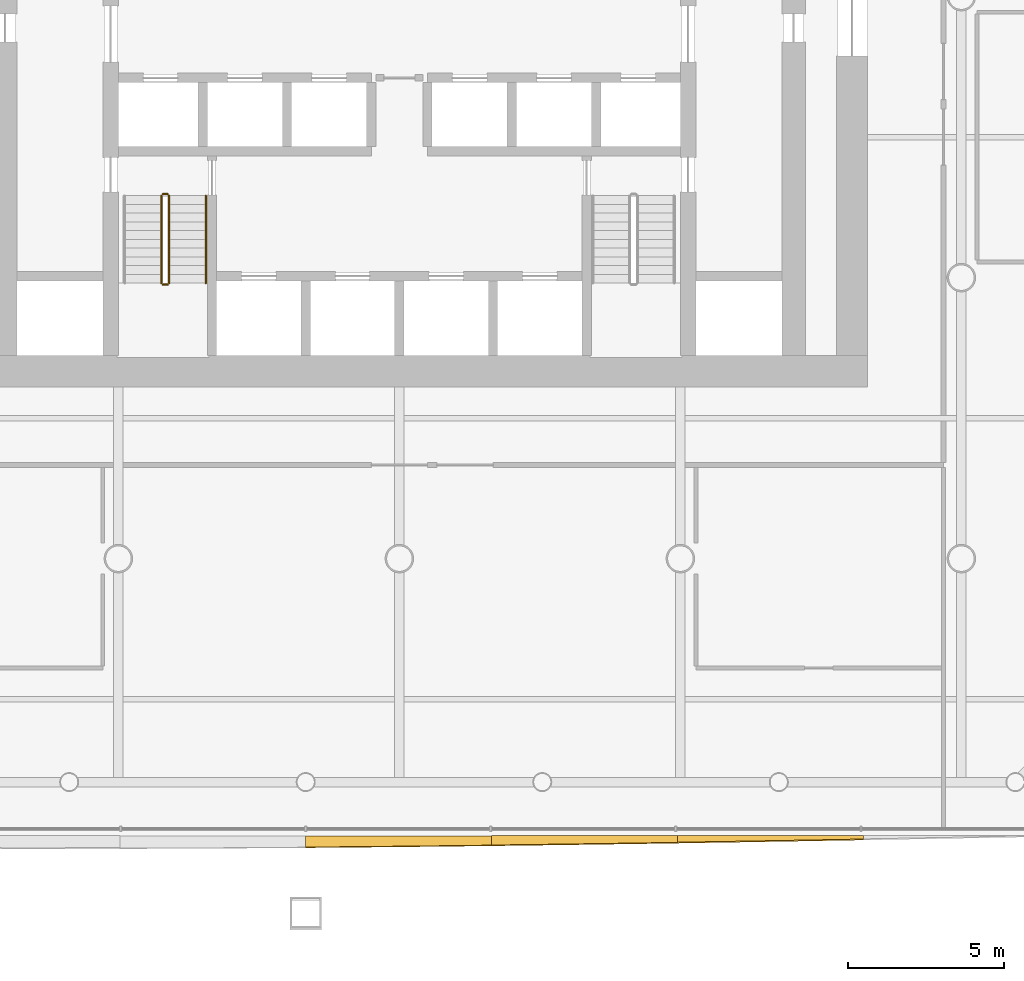
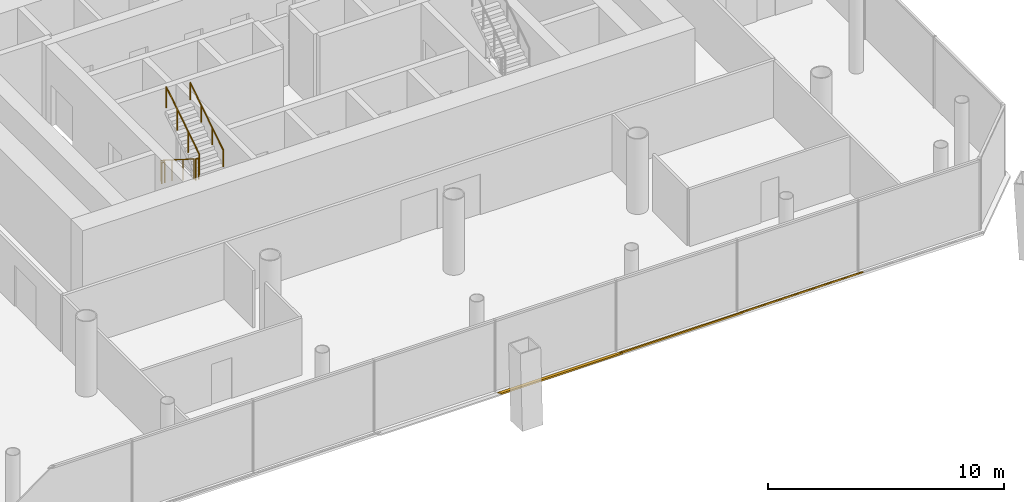
# One storey, part 18 of 21: 5 railings, 3 shading devices.
"""IFC4 building model written with IfcOpenShell, lengths in metres."""

import ifcopenshell
import ifcopenshell.guid

model = None  # the IFC model being written
_history = None  # IfcOwnerHistory: only IFC2X3 demands one
_inside = {}  # id of a spatial element -> (the spatial element, [elements in it])
_under = {}  # id of a project, library or spatial element -> (it, [spatial elements below it])
_declared = {}  # id of a project -> (the project, [libraries it declares])
_typed = {}  # id of a type object -> (the type object, [elements of that type])
_made_of = {}  # id of a material, layer set ... -> (it, [elements and type objects made of it])


def new_model(schema):
    """Start an empty IFC model of exactly this schema.

    Asked for "IFC4X3", IfcOpenShell would pick the latest addendum, in which some entities
    have other attributes; the version numbers below select the first issue.
    IFC2X3 requires an IfcOwnerHistory on every rooted entity: one is made here for all.
    """
    global model, _history
    if schema == "IFC4X3":
        model = ifcopenshell.file(schema_version=(4, 3, 0, 0))
    else:
        model = ifcopenshell.file(schema=schema)
    _inside.clear()
    _under.clear()
    _declared.clear()
    _typed.clear()
    _made_of.clear()
    _history = None
    if model.schema == "IFC2X3":
        org = make("IfcOrganization", Name="unknown")
        user = make(
            "IfcPersonAndOrganization",
            ThePerson=make("IfcPerson", FamilyName="unknown"),
            TheOrganization=org,
        )
        app = make(
            "IfcApplication",
            ApplicationDeveloper=org,
            Version="unknown",
            ApplicationFullName="unknown",
            ApplicationIdentifier="unknown",
        )
        _history = make(
            "IfcOwnerHistory",
            OwningUser=user,
            OwningApplication=app,
            ChangeAction="ADDED",
            CreationDate=0,
        )
    return model


def make(cls, **values):
    """One entity of the class cls with the attributes given. An attribute that is None is left unset."""
    return model.create_entity(
        cls, **{name: value for name, value in values.items() if value is not None}
    )


def rooted(cls, **values):
    """An entity with a GlobalId (a new one), such as an element, a storey or a relation."""
    return make(cls, GlobalId=ifcopenshell.guid.new(), OwnerHistory=_history, **values)


def si_unit(unit_type, name, prefix=None):
    """IfcSIUnit, for example si_unit("LENGTHUNIT", "METRE", prefix="MILLI")."""
    return make("IfcSIUnit", UnitType=unit_type, Prefix=prefix, Name=name)


def assignment(units):
    """IfcUnitAssignment: the units of a project."""
    return None if units is None else make("IfcUnitAssignment", Units=units)


def point(xyz):
    """IfcCartesianPoint."""
    return None if xyz is None else make("IfcCartesianPoint", Coordinates=xyz)


def direction(xyz):
    """IfcDirection."""
    return None if xyz is None else make("IfcDirection", DirectionRatios=xyz)


def frame(location, z_axis=None, x_axis=None):
    """IfcAxis2Placement3D, a coordinate frame: its origin and axes. An axis left out is left unset."""
    return make(
        "IfcAxis2Placement3D",
        Location=point(location),
        Axis=direction(z_axis),
        RefDirection=direction(x_axis),
    )


def frame_2d(location, x_axis=None):
    """IfcAxis2Placement2D, a coordinate frame in the plane: its origin and x axis."""
    return make(
        "IfcAxis2Placement2D", Location=point(location), RefDirection=direction(x_axis)
    )


def origin():
    """The frame at (0, 0, 0) with its axes left unset."""
    return frame((0.0, 0.0, 0.0))


def origin_2d():
    """The frame at (0, 0) in the plane with its x axis left unset."""
    return frame_2d((0.0, 0.0))


def place(relative_to, where):
    """IfcLocalPlacement: puts the frame where relative to a parent placement (None: the world)."""
    return make(
        "IfcLocalPlacement", PlacementRelTo=relative_to, RelativePlacement=where
    )


def context(
    kind, dimensions, precision=None, world=None, true_north=None, identifier=None
):
    """IfcGeometricRepresentationContext, for example the 3D "Model" context."""
    return make(
        "IfcGeometricRepresentationContext",
        ContextIdentifier=identifier,
        ContextType=kind,
        CoordinateSpaceDimension=dimensions,
        Precision=precision,
        WorldCoordinateSystem=world,
        TrueNorth=true_north,
    )


def subcontext(parent, identifier, kind, view, scale=None):
    """IfcGeometricRepresentationSubContext, for example "Body" below "Model"."""
    return make(
        "IfcGeometricRepresentationSubContext",
        ContextIdentifier=identifier,
        ContextType=kind,
        ParentContext=parent,
        TargetScale=scale,
        TargetView=view,
    )


def project(units=None, contexts=None):
    """IfcProject with its units and contexts."""
    return rooted(
        "IfcProject",
        Name="project",
        RepresentationContexts=contexts,
        UnitsInContext=assignment(units),
    )


def spatial(cls, under=None, at=None, **own):
    """A site, building, storey or space (cls), placed at a placement, below another one or the project."""
    s = rooted(cls, ObjectPlacement=at, **own)
    if under is not None:
        _under.setdefault(under.id(), (under, []))[1].append(s)
    return s


def polyline(points):
    """IfcPolyline through the points."""
    return make("IfcPolyline", Points=[point(p) for p in points])


def profile(cls, at=None, kind="AREA", **sizes):
    """A parametric profile (cls). Its sizes go by their IFC names, for example OverallWidth=200.0."""
    return make(cls, ProfileType=kind, Position=at, **sizes)


def circle(**sizes):
    """IfcCircleProfileDef."""
    return profile("IfcCircleProfileDef", **sizes)


def outline(outer, holes=None, kind="AREA"):
    """IfcArbitraryClosedProfileDef: a profile drawn as a closed curve; with holes, ...WithVoids."""
    if holes is None:
        return make("IfcArbitraryClosedProfileDef", ProfileType=kind, OuterCurve=outer)
    return make(
        "IfcArbitraryProfileDefWithVoids",
        ProfileType=kind,
        OuterCurve=outer,
        InnerCurves=holes,
    )


def extrude(swept, where, along, depth):
    """IfcExtrudedAreaSolid: the profile swept, set in the frame where, extruded along a direction by depth."""
    return make(
        "IfcExtrudedAreaSolid",
        SweptArea=swept,
        Position=where,
        ExtrudedDirection=direction(along),
        Depth=depth,
    )


def shape(context_of_items, identifier, shape_type, items):
    """IfcShapeRepresentation: the items that make up one representation, for example the "Body"."""
    return make(
        "IfcShapeRepresentation",
        ContextOfItems=context_of_items,
        RepresentationIdentifier=identifier,
        RepresentationType=shape_type,
        Items=items,
    )


def material(Name=None, Category=None):
    """IfcMaterial."""
    return make("IfcMaterial", Name=Name, Category=Category)


def layer(
    of_material, thickness, ventilated=None, Name=None, Category=None, Priority=None
):
    """IfcMaterialLayer: one layer of a wall or slab, of a material (None: an air gap)."""
    return make(
        "IfcMaterialLayer",
        Material=of_material,
        LayerThickness=thickness,
        IsVentilated=ventilated,
        Name=Name,
        Category=Category,
        Priority=Priority,
    )


def layer_set(layers, Name=None):
    """IfcMaterialLayerSet."""
    return make("IfcMaterialLayerSet", MaterialLayers=layers, LayerSetName=Name)


def made_of(thing, what):
    """Note that an element or type object is made of a material, layer set ...; save() writes the relation."""
    if what is not None:
        _made_of.setdefault(what.id(), (what, []))[1].append(thing)
    return thing


def type_object(cls, material=None, **own):
    """A type object (cls), such as IfcWallType, which elements share."""
    return made_of(rooted(cls, **own), material)


def element(
    cls,
    number,
    at=None,
    inside=None,
    cuts=None,
    type_object=None,
    material=None,
    context=None,
    identifier="Body",
    shape_type=None,
    held_by="IfcProductDefinitionShape",
    body=None,
    shapes=None,
    **own,
):
    """One element of the class cls, such as IfcWall. Its Tag is "e" and its number.

    at: its placement. inside: the storey or other place that contains it. cuts: it is an
    opening in that element (IfcRelVoidsElement). A single representation is given by context,
    identifier, shape_type and body (its items); several are given by shapes. held_by: the class
    of the entity that holds the representations. save() writes the other relations.
    """
    e = rooted(cls, Tag="e%d" % number, ObjectPlacement=at, **own)
    if body is not None:
        shapes = [shape(context, identifier, shape_type, body)]
    if shapes is not None:
        e.Representation = make(held_by, Representations=shapes)
    if inside is not None:
        _inside.setdefault(inside.id(), (inside, []))[1].append(e)
    if cuts is not None:
        rooted(
            "IfcRelVoidsElement", RelatingBuildingElement=cuts, RelatedOpeningElement=e
        )
    if type_object is not None:
        _typed.setdefault(type_object.id(), (type_object, []))[1].append(e)
    return made_of(e, material)


def aggregate(whole, parts):
    """IfcRelAggregates: a whole, such as a stair, and the parts it consists of."""
    return rooted("IfcRelAggregates", RelatingObject=whole, RelatedObjects=parts)


def save(model, path):
    """Write the relations noted so far, then the file.

    IfcRelAggregates (storeys below a building ...), IfcRelContainedInSpatialStructure (elements
    in a storey), IfcRelDefinesByType, IfcRelAssociatesMaterial and IfcRelDeclares: one each for
    every whole, place, type object, material and project.
    """
    for whole, parts in _under.values():
        aggregate(whole, parts)
    for where, things in _inside.values():
        rooted(
            "IfcRelContainedInSpatialStructure",
            RelatedElements=things,
            RelatingStructure=where,
        )
    for kind, things in _typed.values():
        rooted("IfcRelDefinesByType", RelatedObjects=things, RelatingType=kind)
    for what, things in _made_of.values():
        rooted("IfcRelAssociatesMaterial", RelatedObjects=things, RelatingMaterial=what)
    for by, libraries in _declared.values():
        rooted("IfcRelDeclares", RelatingContext=by, RelatedDefinitions=libraries)
    model.write(path)


model = new_model("IFC4")

# Units and contexts
model_context = context("Model", 3, precision=1e-05, world=origin(), true_north=direction((0.0, 1.0)))
body_context = subcontext(model_context, "Body", "Model", "MODEL_VIEW")
ifc_project = project(units=[si_unit("LENGTHUNIT", "METRE"), si_unit("AREAUNIT", "SQUARE_METRE"), si_unit("VOLUMEUNIT", "CUBIC_METRE"), si_unit("PLANEANGLEUNIT", "RADIAN"), si_unit("MASSUNIT", "GRAM", prefix="KILO")], contexts=[model_context])

# Site, building, storey
site_placement = place(None, origin())
site = spatial("IfcSite", under=ifc_project, at=site_placement, CompositionType="ELEMENT")
building_placement = place(site_placement, origin())
building = spatial("IfcBuilding", under=site, at=building_placement, Name="Tskaro Facet Tower", CompositionType="ELEMENT")
storey_placement = place(building_placement, frame((0.0, 0.0, 42.0)))
storey = spatial("IfcBuildingStorey", under=building, at=storey_placement, Name="L09", CompositionType="ELEMENT", Elevation=42.0)

# Shading devices
ifc_material_1 = material(Name="Bronze anodised aluminium 6063-T6", Category="aluminium")
ifc_layer = layer(ifc_material_1, 0.06005859375, Name="Bronze anodised aluminium 6063-T6")
ifc_layer_set = layer_set([ifc_layer], Name="Bronze anodised aluminium 6063-T6")
shading_device_type = type_object("IfcShadingDeviceType", Name="Bronze sun blade (FN1)", PredefinedType="USERDEFINED", material=ifc_layer_set)
shading_device_1_placement = place(storey_placement, frame((-3.0, -26.878662109375, 0.054443359375), z_axis=(9.065145e-06, 0.422456750775, 0.906383083273), x_axis=(0.999999999959, -3.829632e-06, -8.216494e-06)))
element("IfcShadingDevice", 1, at=shading_device_1_placement, inside=storey, type_object=shading_device_type, Name="Fin blade south 5", ObjectType="FIN", PredefinedType="USERDEFINED", context=body_context, shape_type="SweptSolid", body=[
    extrude(outline(polyline([(0.0, 0.0), (5.954345702880346, 0.0), (5.9543457032105245, -0.32832920239369145), (5.20996093810829, -0.33827010543224817), (4.46557617113612, -0.3477684386059075), (3.7214355458599506, -0.35694234799194435), (2.9770507810298024, -0.36579183359035866), (2.232910156025718, -0.37387432553625305), (1.4885253914676553, -0.3816323936945249), (0.7443847656646452, -0.3889478919878994), (-6.273123676121037e-10, -0.3957176815612027), (0.0, 0.0)])), origin(), (0.0, 0.0, -1.0), 0.06005859375),
])
shading_device_2_placement = place(storey_placement, frame((2.954345703125, -26.8740234375, 0.052001953125), z_axis=(4.473919e-06, 0.49989768195, 0.866084469068), x_axis=(0.99999999999, -2.236502e-06, -3.874792e-06)))
element("IfcShadingDevice", 2, at=shading_device_2_placement, inside=storey, type_object=shading_device_type, Name="Fin blade south 6", ObjectType="FIN", PredefinedType="USERDEFINED", context=body_context, shape_type="SweptSolid", body=[
    extrude(outline(polyline([(0.0, 0.0), (5.954101562440412, -2.521660097367905e-21), (5.954101562189621, -0.245558619772765), (5.209960937864232, -0.2590032711224892), (4.4655761723678244, -0.27223647606863033), (3.721191405779377, -0.28504678820760515), (2.9770507811618927, -0.2974015632779795), (2.2326660153733906, -0.30954489194477075), (1.4885253906098592, -0.3213547288754702), (0.7441406250752822, -0.33261962766649467), (-3.8031796402661286e-10, -0.34367308005393604), (0.0, 0.0)])), origin(), (0.0, 0.0, -1.0), 0.06005859375),
])
shading_device_3_placement = place(storey_placement, frame((8.908447265625, -26.86962890625, 0.049072265625), z_axis=(-4.961241e-06, 0.573828129027, 0.818975749527), x_axis=(0.999999999988, 2.846899e-06, 4.063136e-06)))
element("IfcShadingDevice", 3, at=shading_device_3_placement, inside=storey, type_object=shading_device_type, Name="Fin blade south 7", ObjectType="FIN", PredefinedType="USERDEFINED", context=body_context, shape_type="SweptSolid", body=[
    extrude(outline(polyline([(0.0, 0.0), (5.95434570305172, -2.521763494944474e-21), (5.95434570295036, -0.13532527717834777), (5.209960937497264, -0.15144592155781028), (4.46582031197412, -0.1677665111886245), (3.7214355472160663, -0.18368721031673532), (2.9772949220910334, -0.1994678146867811), (2.2329101560440705, -0.2149083790474102), (1.488525390692152, -0.23014899815668755), (0.7443847656682973, -0.24504957725654822), (-2.774869055039352e-10, -0.25961011634699216), (0.0, 0.0)])), origin(), (0.0, 0.0, -1.0), 0.06005859375),
])

# Railings
ifc_material_2 = material(Name="Stainless steel", Category="steel")
railing_type_1 = type_object("IfcRailingType", Name="RL-GUARD-1100", PredefinedType="GUARDRAIL", material=ifc_material_2)
railing_1_placement = place(storey_placement, frame((-7.625, -6.375, 0.17724609375)))
element("IfcRailing", 4, at=railing_1_placement, inside=storey, type_object=railing_type_1, Name="L09 ST-1 stair guard 1", PredefinedType="GUARDRAIL", context=body_context, shape_type="SweptSolid", body=[
    extrude(circle(Radius=0.02392578125, at=origin_2d()), frame((0.0, 0.0, 1.076171875), z_axis=(0.0, -0.844908973607, 0.534910110503), x_axis=(1.0, 0.0, 0.0)), (0.0, 0.0, 1.0), 3.31396484375),
    extrude(circle(Radius=0.02099609375, at=origin_2d()), origin(), (0.0, 0.0, 1.0), 1.052001953125),
    extrude(circle(Radius=0.02099609375, at=origin_2d()), frame((0.0, -0.933349609375, 0.5908203125)), (0.0, 0.0, 1.0), 1.052001953125),
    extrude(circle(Radius=0.02099609375, at=origin_2d()), frame((0.0, -1.86669921875, 1.181884765625)), (0.0, 0.0, 1.0), 1.052001953125),
    extrude(circle(Radius=0.02099609375, at=origin_2d()), frame((0.0, -2.800048828125, 1.772705078125)), (0.0, 0.0, 1.0), 1.052001953125),
])
railing_2_placement = place(storey_placement, frame((-7.574951171875, -9.22509765625, 1.949951171875)))
element("IfcRailing", 5, at=railing_2_placement, inside=storey, type_object=railing_type_1, Name="L09 ST-1 stair guard 2", PredefinedType="GUARDRAIL", context=body_context, shape_type="SweptSolid", body=[
    extrude(circle(Radius=0.02392578125, at=origin_2d()), frame((0.0, 0.0, 1.076171875), z_axis=(1.0, 0.0, 0.0), x_axis=(0.0, 1.0, 0.0)), (0.0, 0.0, 1.0), 0.14990234375),
    extrude(circle(Radius=0.02099609375, at=origin_2d()), origin(), (0.0, 0.0, 1.0), 1.052001953125),
    extrude(circle(Radius=0.02099609375, at=origin_2d()), frame((0.14990234375, 0.0, 0.0)), (0.0, 0.0, 1.0), 1.052001953125),
])
railing_3_placement = place(storey_placement, frame((-7.375, -9.175048828125, 2.127197265625)))
element("IfcRailing", 6, at=railing_3_placement, inside=storey, type_object=railing_type_1, Name="L09 ST-1 stair guard 3", PredefinedType="GUARDRAIL", context=body_context, shape_type="SweptSolid", body=[
    extrude(circle(Radius=0.02392578125, at=origin_2d()), frame((0.0, 0.0, 1.076171875), z_axis=(0.0, 0.844908973607, 0.534910110503), x_axis=(-1.0, 0.0, 0.0)), (0.0, 0.0, 1.0), 3.31396484375),
    extrude(circle(Radius=0.02099609375, at=origin_2d()), origin(), (0.0, 0.0, 1.0), 1.052001953125),
    extrude(circle(Radius=0.02099609375, at=origin_2d()), frame((0.0, 0.933349609375, 0.5908203125)), (0.0, 0.0, 1.0), 1.052001953125),
    extrude(circle(Radius=0.02099609375, at=origin_2d()), frame((0.0, 1.86669921875, 1.181884765625)), (0.0, 0.0, 1.0), 1.052001953125),
    extrude(circle(Radius=0.02099609375, at=origin_2d()), frame((0.0, 2.800048828125, 1.772705078125)), (0.0, 0.0, 1.0), 1.052001953125),
])
railing_4_placement = place(storey_placement, frame((-7.574951171875, -6.324951171875, 0.0)))
element("IfcRailing", 7, at=railing_4_placement, inside=storey, type_object=railing_type_1, Name="L09 ST-1 stair guard 4", PredefinedType="GUARDRAIL", context=body_context, shape_type="SweptSolid", body=[
    extrude(circle(Radius=0.02392578125, at=origin_2d()), frame((0.0, 0.0, 1.076171875), z_axis=(1.0, 0.0, 0.0), x_axis=(0.0, 1.0, 0.0)), (0.0, 0.0, 1.0), 0.14990234375),
    extrude(circle(Radius=0.02099609375, at=origin_2d()), origin(), (0.0, 0.0, 1.0), 1.052001953125),
    extrude(circle(Radius=0.02099609375, at=origin_2d()), frame((0.14990234375, 0.0, 0.0)), (0.0, 0.0, 1.0), 1.052001953125),
])
railing_type_2 = type_object("IfcRailingType", Name="RL-HANDRAIL-900", PredefinedType="HANDRAIL", material=ifc_material_2)
railing_5_placement = place(storey_placement, frame((-6.199951171875, -9.175048828125, 2.127197265625)))
element("IfcRailing", 8, at=railing_5_placement, inside=storey, type_object=railing_type_2, Name="L09 ST-1 stair handrail 2", PredefinedType="HANDRAIL", context=body_context, shape_type="SweptSolid", body=[
    extrude(circle(Radius=0.02392578125, at=origin_2d()), frame((0.0, 0.0, 0.8759765625), z_axis=(0.0, 0.844908973607, 0.534910110503), x_axis=(-1.0, 0.0, 0.0)), (0.0, 0.0, 1.0), 3.31396484375),
    extrude(circle(Radius=0.02099609375, at=origin_2d()), origin(), (0.0, 0.0, 1.0), 0.851806640625),
    extrude(circle(Radius=0.02099609375, at=origin_2d()), frame((0.0, 0.933349609375, 0.5908203125)), (0.0, 0.0, 1.0), 0.851806640625),
    extrude(circle(Radius=0.02099609375, at=origin_2d()), frame((0.0, 1.86669921875, 1.181884765625)), (0.0, 0.0, 1.0), 0.851806640625),
    extrude(circle(Radius=0.02099609375, at=origin_2d()), frame((0.0, 2.800048828125, 1.772705078125)), (0.0, 0.0, 1.0), 0.851806640625),
])

save(model, "model.ifc")
